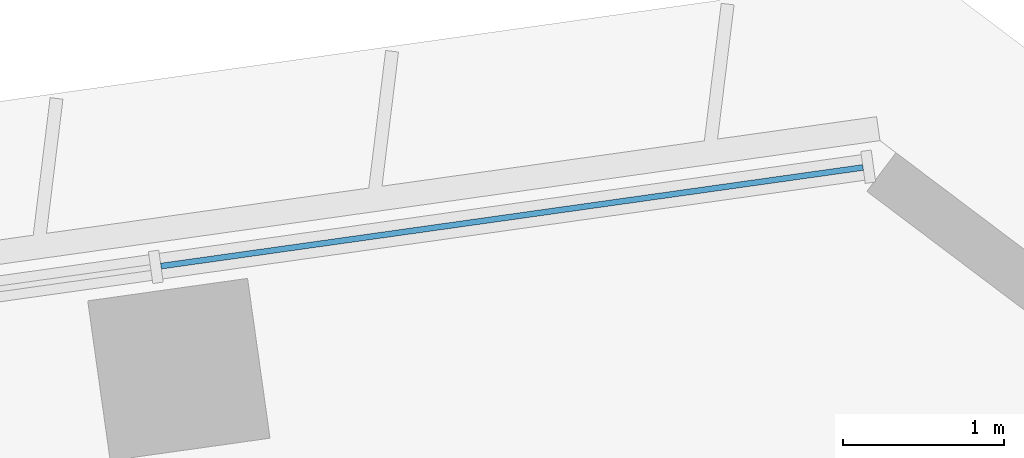
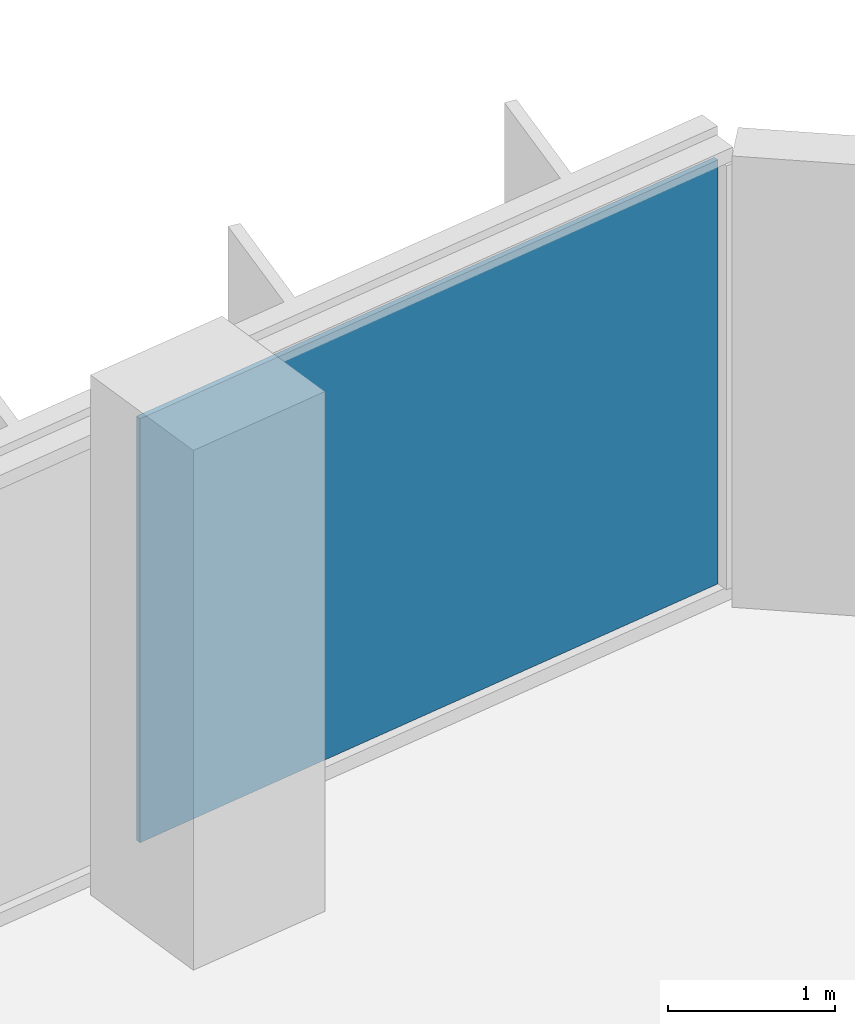
# One storey, part 13 of 24: 1 plate, 1 element without a shape of its own.
"""IFC4 building model written with IfcOpenShell, lengths in metres."""

import ifcopenshell
import ifcopenshell.guid

model = None  # the IFC model being written
_history = None  # IfcOwnerHistory: only IFC2X3 demands one
_inside = {}  # id of a spatial element -> (the spatial element, [elements in it])
_under = {}  # id of a project, library or spatial element -> (it, [spatial elements below it])
_declared = {}  # id of a project -> (the project, [libraries it declares])
_typed = {}  # id of a type object -> (the type object, [elements of that type])
_made_of = {}  # id of a material, layer set ... -> (it, [elements and type objects made of it])


def new_model(schema):
    """Start an empty IFC model of exactly this schema.

    Asked for "IFC4X3", IfcOpenShell would pick the latest addendum, in which some entities
    have other attributes; the version numbers below select the first issue.
    IFC2X3 requires an IfcOwnerHistory on every rooted entity: one is made here for all.
    """
    global model, _history
    if schema == "IFC4X3":
        model = ifcopenshell.file(schema_version=(4, 3, 0, 0))
    else:
        model = ifcopenshell.file(schema=schema)
    _inside.clear()
    _under.clear()
    _declared.clear()
    _typed.clear()
    _made_of.clear()
    _history = None
    if model.schema == "IFC2X3":
        org = make("IfcOrganization", Name="unknown")
        user = make(
            "IfcPersonAndOrganization",
            ThePerson=make("IfcPerson", FamilyName="unknown"),
            TheOrganization=org,
        )
        app = make(
            "IfcApplication",
            ApplicationDeveloper=org,
            Version="unknown",
            ApplicationFullName="unknown",
            ApplicationIdentifier="unknown",
        )
        _history = make(
            "IfcOwnerHistory",
            OwningUser=user,
            OwningApplication=app,
            ChangeAction="ADDED",
            CreationDate=0,
        )
    return model


def make(cls, **values):
    """One entity of the class cls with the attributes given. An attribute that is None is left unset."""
    return model.create_entity(
        cls, **{name: value for name, value in values.items() if value is not None}
    )


def rooted(cls, **values):
    """An entity with a GlobalId (a new one), such as an element, a storey or a relation."""
    return make(cls, GlobalId=ifcopenshell.guid.new(), OwnerHistory=_history, **values)


def si_unit(unit_type, name, prefix=None):
    """IfcSIUnit, for example si_unit("LENGTHUNIT", "METRE", prefix="MILLI")."""
    return make("IfcSIUnit", UnitType=unit_type, Prefix=prefix, Name=name)


def assignment(units):
    """IfcUnitAssignment: the units of a project."""
    return None if units is None else make("IfcUnitAssignment", Units=units)


def point(xyz):
    """IfcCartesianPoint."""
    return None if xyz is None else make("IfcCartesianPoint", Coordinates=xyz)


def direction(xyz):
    """IfcDirection."""
    return None if xyz is None else make("IfcDirection", DirectionRatios=xyz)


def frame(location, z_axis=None, x_axis=None):
    """IfcAxis2Placement3D, a coordinate frame: its origin and axes. An axis left out is left unset."""
    return make(
        "IfcAxis2Placement3D",
        Location=point(location),
        Axis=direction(z_axis),
        RefDirection=direction(x_axis),
    )


def frame_2d(location, x_axis=None):
    """IfcAxis2Placement2D, a coordinate frame in the plane: its origin and x axis."""
    return make(
        "IfcAxis2Placement2D", Location=point(location), RefDirection=direction(x_axis)
    )


def origin():
    """The frame at (0, 0, 0) with its axes left unset."""
    return frame((0.0, 0.0, 0.0))


def origin_2d():
    """The frame at (0, 0) in the plane with its x axis left unset."""
    return frame_2d((0.0, 0.0))


def place(relative_to, where):
    """IfcLocalPlacement: puts the frame where relative to a parent placement (None: the world)."""
    return make(
        "IfcLocalPlacement", PlacementRelTo=relative_to, RelativePlacement=where
    )


def context(
    kind, dimensions, precision=None, world=None, true_north=None, identifier=None
):
    """IfcGeometricRepresentationContext, for example the 3D "Model" context."""
    return make(
        "IfcGeometricRepresentationContext",
        ContextIdentifier=identifier,
        ContextType=kind,
        CoordinateSpaceDimension=dimensions,
        Precision=precision,
        WorldCoordinateSystem=world,
        TrueNorth=true_north,
    )


def subcontext(parent, identifier, kind, view, scale=None):
    """IfcGeometricRepresentationSubContext, for example "Body" below "Model"."""
    return make(
        "IfcGeometricRepresentationSubContext",
        ContextIdentifier=identifier,
        ContextType=kind,
        ParentContext=parent,
        TargetScale=scale,
        TargetView=view,
    )


def project(units=None, contexts=None):
    """IfcProject with its units and contexts."""
    return rooted(
        "IfcProject",
        Name="project",
        RepresentationContexts=contexts,
        UnitsInContext=assignment(units),
    )


def spatial(cls, under=None, at=None, **own):
    """A site, building, storey or space (cls), placed at a placement, below another one or the project."""
    s = rooted(cls, ObjectPlacement=at, **own)
    if under is not None:
        _under.setdefault(under.id(), (under, []))[1].append(s)
    return s


def profile(cls, at=None, kind="AREA", **sizes):
    """A parametric profile (cls). Its sizes go by their IFC names, for example OverallWidth=200.0."""
    return make(cls, ProfileType=kind, Position=at, **sizes)


def rectangle(**sizes):
    """IfcRectangleProfileDef."""
    return profile("IfcRectangleProfileDef", **sizes)


def extrude(swept, where, along, depth):
    """IfcExtrudedAreaSolid: the profile swept, set in the frame where, extruded along a direction by depth."""
    return make(
        "IfcExtrudedAreaSolid",
        SweptArea=swept,
        Position=where,
        ExtrudedDirection=direction(along),
        Depth=depth,
    )


def shape(context_of_items, identifier, shape_type, items):
    """IfcShapeRepresentation: the items that make up one representation, for example the "Body"."""
    return make(
        "IfcShapeRepresentation",
        ContextOfItems=context_of_items,
        RepresentationIdentifier=identifier,
        RepresentationType=shape_type,
        Items=items,
    )


def material(Name=None, Category=None):
    """IfcMaterial."""
    return make("IfcMaterial", Name=Name, Category=Category)


def layer(
    of_material, thickness, ventilated=None, Name=None, Category=None, Priority=None
):
    """IfcMaterialLayer: one layer of a wall or slab, of a material (None: an air gap)."""
    return make(
        "IfcMaterialLayer",
        Material=of_material,
        LayerThickness=thickness,
        IsVentilated=ventilated,
        Name=Name,
        Category=Category,
        Priority=Priority,
    )


def layer_set(layers, Name=None):
    """IfcMaterialLayerSet."""
    return make("IfcMaterialLayerSet", MaterialLayers=layers, LayerSetName=Name)


def made_of(thing, what):
    """Note that an element or type object is made of a material, layer set ...; save() writes the relation."""
    if what is not None:
        _made_of.setdefault(what.id(), (what, []))[1].append(thing)
    return thing


def type_object(cls, material=None, **own):
    """A type object (cls), such as IfcWallType, which elements share."""
    return made_of(rooted(cls, **own), material)


def element(
    cls,
    number,
    at=None,
    inside=None,
    cuts=None,
    type_object=None,
    material=None,
    context=None,
    identifier="Body",
    shape_type=None,
    held_by="IfcProductDefinitionShape",
    body=None,
    shapes=None,
    **own,
):
    """One element of the class cls, such as IfcWall. Its Tag is "e" and its number.

    at: its placement. inside: the storey or other place that contains it. cuts: it is an
    opening in that element (IfcRelVoidsElement). A single representation is given by context,
    identifier, shape_type and body (its items); several are given by shapes. held_by: the class
    of the entity that holds the representations. save() writes the other relations.
    """
    e = rooted(cls, Tag="e%d" % number, ObjectPlacement=at, **own)
    if body is not None:
        shapes = [shape(context, identifier, shape_type, body)]
    if shapes is not None:
        e.Representation = make(held_by, Representations=shapes)
    if inside is not None:
        _inside.setdefault(inside.id(), (inside, []))[1].append(e)
    if cuts is not None:
        rooted(
            "IfcRelVoidsElement", RelatingBuildingElement=cuts, RelatedOpeningElement=e
        )
    if type_object is not None:
        _typed.setdefault(type_object.id(), (type_object, []))[1].append(e)
    return made_of(e, material)


def aggregate(whole, parts):
    """IfcRelAggregates: a whole, such as a stair, and the parts it consists of."""
    return rooted("IfcRelAggregates", RelatingObject=whole, RelatedObjects=parts)


def save(model, path):
    """Write the relations noted so far, then the file.

    IfcRelAggregates (storeys below a building ...), IfcRelContainedInSpatialStructure (elements
    in a storey), IfcRelDefinesByType, IfcRelAssociatesMaterial and IfcRelDeclares: one each for
    every whole, place, type object, material and project.
    """
    for whole, parts in _under.values():
        aggregate(whole, parts)
    for where, things in _inside.values():
        rooted(
            "IfcRelContainedInSpatialStructure",
            RelatedElements=things,
            RelatingStructure=where,
        )
    for kind, things in _typed.values():
        rooted("IfcRelDefinesByType", RelatedObjects=things, RelatingType=kind)
    for what, things in _made_of.values():
        rooted("IfcRelAssociatesMaterial", RelatedObjects=things, RelatingMaterial=what)
    for by, libraries in _declared.values():
        rooted("IfcRelDeclares", RelatingContext=by, RelatedDefinitions=libraries)
    model.write(path)


model = new_model("IFC4")

# Units and contexts
model_context = context("Model", 3, precision=1e-05, world=origin(), true_north=direction((0.0, 1.0)))
body_context = subcontext(model_context, "Body", "Model", "MODEL_VIEW")
ifc_project = project(units=[si_unit("LENGTHUNIT", "METRE"), si_unit("AREAUNIT", "SQUARE_METRE"), si_unit("VOLUMEUNIT", "CUBIC_METRE"), si_unit("PLANEANGLEUNIT", "RADIAN"), si_unit("MASSUNIT", "GRAM", prefix="KILO")], contexts=[model_context])

# Site, building, storey
site_placement = place(None, origin())
site = spatial("IfcSite", under=ifc_project, at=site_placement, CompositionType="ELEMENT")
building_placement = place(site_placement, origin())
building = spatial("IfcBuilding", under=site, at=building_placement, Name="Mirante Cascada Hotel Towers", CompositionType="ELEMENT")
storey_placement = place(building_placement, frame((0.0, 0.0, 88.9)))
storey = spatial("IfcBuildingStorey", under=building, at=storey_placement, Name="L19", CompositionType="ELEMENT", Elevation=88.9)

# Curtain wall, plate
ifc_material_1 = material(Name="Aluminium mullion and transom frame with clear laminated glass", Category="aluminium")
curtain_wall_type = type_object("IfcCurtainWallType", Name="Ribbon curtain wall ECW1", PredefinedType="NOTDEFINED", material=ifc_material_1)
curtain_wall_placement = place(storey_placement, origin())
curtain_wall = element("IfcCurtainWall", 1, at=curtain_wall_placement, inside=storey, type_object=curtain_wall_type, Name="Front ribbon wall T2 L19", PredefinedType="NOTDEFINED")
ifc_material_2 = material(Name="Clear laminated glass", Category="glass")
ifc_layer = layer(ifc_material_2, 0.036)
ifc_layer_set = layer_set([ifc_layer], Name="ECW1 glass panel 36")
plate_type = type_object("IfcPlateType", Name="ECW1 glass panel 36", PredefinedType="CURTAIN_PANEL", material=ifc_layer_set)
plate_placement = place(storey_placement, frame((91.9184, 25.7373, 0.1), z_axis=(0.0, 0.0, 1.0), x_axis=(-0.9902681, -0.1391731, 0.0)))
plate = element("IfcPlate", 2, at=plate_placement, type_object=plate_type, Name="ECW1 panel 1", PredefinedType="CURTAIN_PANEL", context=body_context, shape_type="SweptSolid", body=[
    extrude(rectangle(XDim=4.3936, YDim=0.036, at=origin_2d()), origin(), (0.0, 0.0, 1.0), 3.1),
])
aggregate(curtain_wall, [plate])

save(model, "model.ifc")
